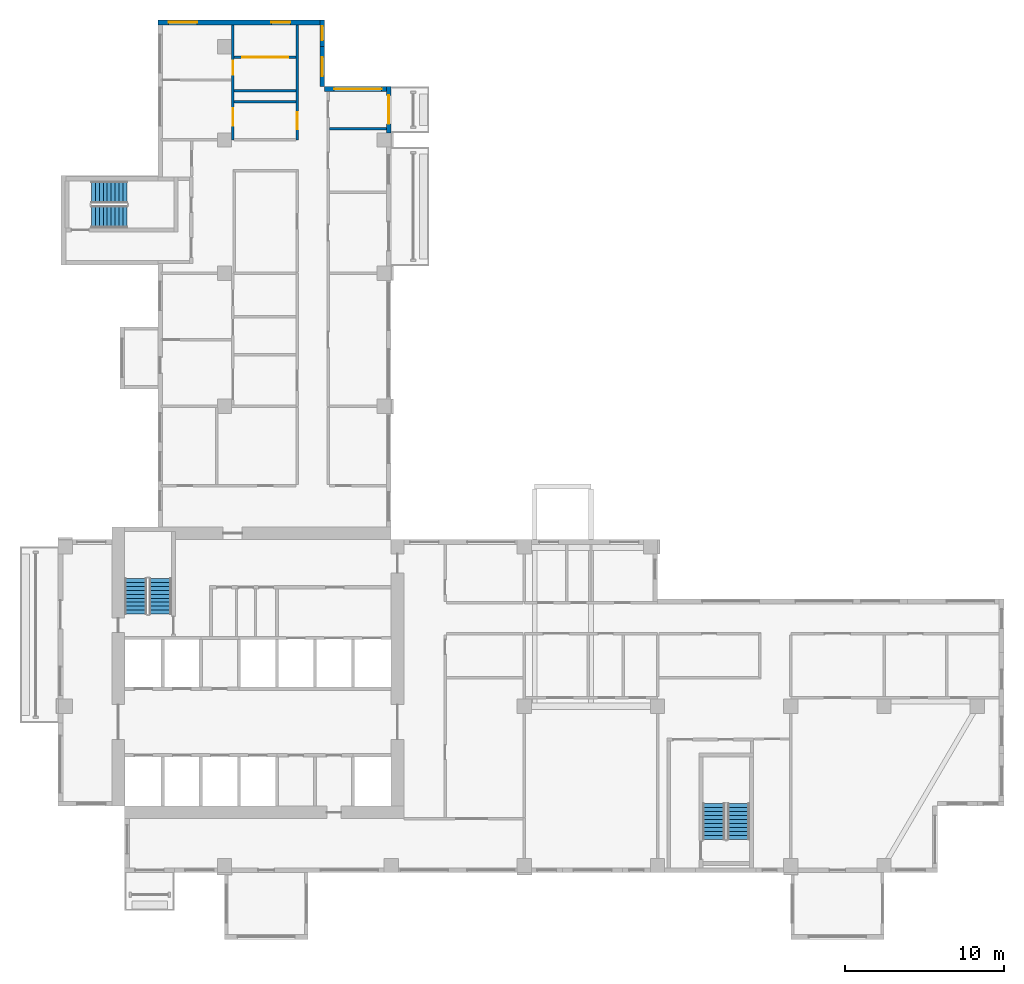
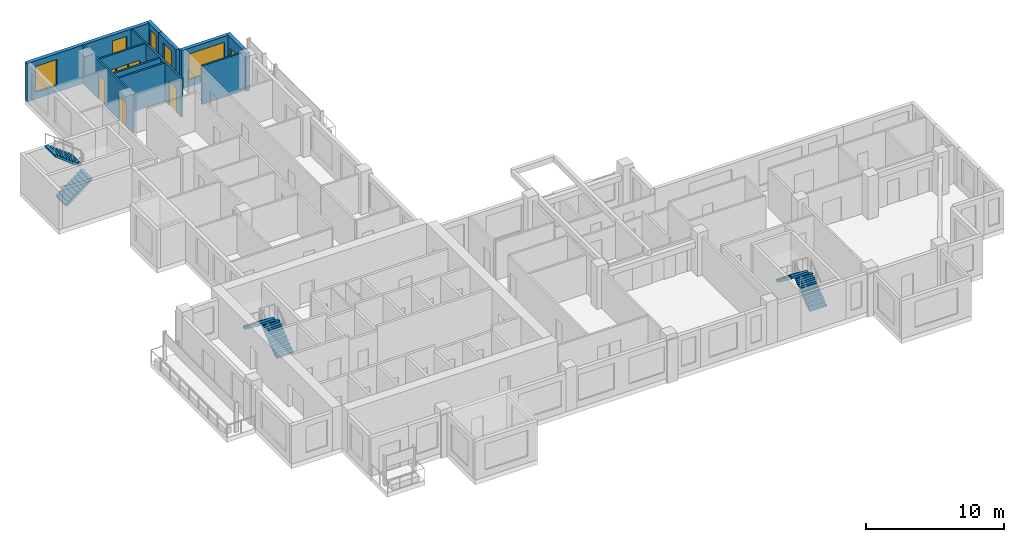
# One storey, part 8 of 12: 11 walls, 7 doors, 6 stair flights, 5 windows, 12 openings, 3 elements without a shape of their own.
"""IFC4 building model written with IfcOpenShell, lengths in metres."""

from ifc_helpers import new_model, si_unit, direction, frame, frame_2d, origin, place, context, subcontext, project, spatial, polyline, rectangle, outline, extrude, source, transform, mapped, material, layer, layer_set, type_object, element, fill, aggregate, save


model = new_model("IFC4")

# Units and contexts
model_context = context("Model", 3, precision=1e-05, world=origin(), true_north=direction((0.0, 1.0)))
body_context = subcontext(model_context, "Body", "Model", "MODEL_VIEW")
ifc_project = project(units=[si_unit("LENGTHUNIT", "METRE"), si_unit("AREAUNIT", "SQUARE_METRE"), si_unit("VOLUMEUNIT", "CUBIC_METRE"), si_unit("PLANEANGLEUNIT", "RADIAN"), si_unit("MASSUNIT", "GRAM", prefix="KILO")], contexts=[model_context])

# Site, building, storey
site_placement = place(None, origin())
site = spatial("IfcSite", under=ifc_project, at=site_placement, CompositionType="ELEMENT")
building_placement = place(site_placement, origin())
building = spatial("IfcBuilding", under=site, at=building_placement, Name="Aurelian Terraces", CompositionType="ELEMENT")
storey_placement = place(building_placement, frame((0.0, 0.0, 200.6)))
storey = spatial("IfcBuildingStorey", under=building, at=storey_placement, Name="L44", CompositionType="ELEMENT", Elevation=200.6)

# Wall, opening, door
ifc_material_1 = material(Name="Terracotta rainscreen cladding", Category="masonry")
ifc_layer_1 = layer(ifc_material_1, 0.3)
ifc_layer_set_1 = layer_set([ifc_layer_1], Name="EW-300")
wall_type_1 = type_object("IfcWallType", Name="EW-300", PredefinedType="STANDARD", material=ifc_layer_set_1)
shared_shape_1 = source(origin(), body_context, "Body", "SweptSolid", [
    extrude(rectangle(XDim=2.91, YDim=0.3, at=frame_2d((1.455, 0.0))), origin(), (0.0, 0.0, 1.0), 3.4),
])
wall_1_placement = place(storey_placement, frame((20.85, 46.65, 0.0), z_axis=(0.0, 0.0, 1.0), x_axis=(0.0, 1.0, 0.0)))
wall_1 = element("IfcWall", 1, at=wall_1_placement, inside=storey, type_object=wall_type_1, Name="External wall L44 F08.22", PredefinedType="STANDARD", context=body_context, shape_type="MappedRepresentation", body=[
    mapped(shared_shape_1, transform((0.0, 0.0, 0.0), scale=1.0)),
])
shared_shape_2 = source(origin(), body_context, "Body", "SweptSolid", [
    extrude(rectangle(XDim=1.8, YDim=2.4, at=frame_2d((0.9, 1.2))), frame((0.0, 0.16, 0.0), z_axis=(0.0, -1.0, 0.0), x_axis=(1.0, 0.0, 0.0)), (0.0, 0.0, 1.0), 0.32),
])
opening_1_placement = place(wall_1_placement, frame((0.555, 0.0, 0.0)))
opening_1 = element("IfcOpeningElement", 2, at=opening_1_placement, cuts=wall_1, Name="Opening 84403", PredefinedType="OPENING", context=body_context, shape_type="MappedRepresentation", body=[
    mapped(shared_shape_2, transform((0.0, 0.0, 0.0), scale=1.0)),
])
ifc_material_2 = material(Name="Clear glazing", Category="glass")
door_type_1 = type_object("IfcDoorType", Name="BD-1800x2400", OperationType="SLIDING_TO_LEFT", PredefinedType="DOOR", material=ifc_material_2)
shared_shape_3 = source(origin(), body_context, "Body", "SweptSolid", [
    extrude(rectangle(XDim=1.8, YDim=2.4, at=frame_2d((0.9, 1.2))), frame((0.0, 0.025, 0.0), z_axis=(0.0, -1.0, 0.0), x_axis=(1.0, 0.0, 0.0)), (0.0, 0.0, 1.0), 0.05),
])
door_1_placement = place(opening_1_placement, origin())
door_1 = element("IfcDoor", 3, at=door_1_placement, inside=storey, type_object=door_type_1, Name="Balcony door L44 F08.22", OperationType="SLIDING_TO_LEFT", OverallHeight=2.4, OverallWidth=1.8, PredefinedType="DOOR", context=body_context, shape_type="MappedRepresentation", body=[
    mapped(shared_shape_3, transform((0.0, 0.0, 0.0), scale=1.0)),
])
fill(opening_1, door_1)

# Wall, opening, window
shared_shape_4 = source(origin(), body_context, "Body", "SweptSolid", [
    extrude(rectangle(XDim=4.2, YDim=0.3, at=frame_2d((2.1, 0.0))), origin(), (0.0, 0.0, 1.0), 3.4),
])
wall_2_placement = place(storey_placement, frame((21.0, 49.41, 0.0), z_axis=(0.0, 0.0, 1.0), x_axis=(-1.0, 0.0, 0.0)))
wall_2 = element("IfcWall", 4, at=wall_2_placement, inside=storey, type_object=wall_type_1, Name="External wall L44 F09.23", PredefinedType="STANDARD", context=body_context, shape_type="MappedRepresentation", body=[
    mapped(shared_shape_4, transform((0.0, 0.0, 0.0), scale=1.0)),
])
shared_shape_5 = source(origin(), body_context, "Body", "SweptSolid", [
    extrude(rectangle(XDim=3.0, YDim=2.3, at=frame_2d((1.5, 1.15))), frame((0.0, 0.16, 0.0), z_axis=(0.0, -1.0, 0.0), x_axis=(1.0, 0.0, 0.0)), (0.0, 0.0, 1.0), 0.32),
])
opening_2_placement = place(wall_2_placement, frame((0.6, 0.0, 0.6)))
opening_2 = element("IfcOpeningElement", 5, at=opening_2_placement, cuts=wall_2, Name="Opening W3023", PredefinedType="OPENING", context=body_context, shape_type="MappedRepresentation", body=[
    mapped(shared_shape_5, transform((0.0, 0.0, 0.0), scale=1.0)),
])
window_type_1 = type_object("IfcWindowType", Name="W-3000x2300", PartitioningType="SINGLE_PANEL", PredefinedType="WINDOW", material=ifc_material_2)
shared_shape_6 = source(origin(), body_context, "Body", "SweptSolid", [
    extrude(rectangle(XDim=3.0, YDim=2.3, at=frame_2d((1.5, 1.15))), frame((0.0, 0.03, 0.0), z_axis=(0.0, -1.0, 0.0), x_axis=(1.0, 0.0, 0.0)), (0.0, 0.0, 1.0), 0.06),
])
window_1_placement = place(opening_2_placement, origin())
window_1 = element("IfcWindow", 6, at=window_1_placement, inside=storey, type_object=window_type_1, Name="Window L44 L44-F09-23-0", OverallHeight=2.3, OverallWidth=3.0, PartitioningType="SINGLE_PANEL", PredefinedType="WINDOW", context=body_context, shape_type="MappedRepresentation", body=[
    mapped(shared_shape_6, transform((0.0, 0.0, 0.0), scale=1.0)),
])
fill(opening_2, window_1)

shared_shape_7 = source(origin(), body_context, "Body", "SweptSolid", [
    extrude(rectangle(XDim=2.52, YDim=0.3, at=frame_2d((1.26, 0.0))), origin(), (0.0, 0.0, 1.0), 3.4),
])
wall_3_placement = place(storey_placement, frame((16.65, 49.56, 0.0), z_axis=(0.0, 0.0, 1.0), x_axis=(0.0, 1.0, 0.0)))
wall_3 = element("IfcWall", 7, at=wall_3_placement, inside=storey, type_object=wall_type_1, Name="External wall L44 F10.24", PredefinedType="STANDARD", context=body_context, shape_type="MappedRepresentation", body=[
    mapped(shared_shape_7, transform((0.0, 0.0, 0.0), scale=1.0)),
])
shared_shape_8 = source(origin(), body_context, "Body", "SweptSolid", [
    extrude(rectangle(XDim=1.2, YDim=2.3, at=frame_2d((0.6, 1.15))), frame((0.0, 0.16, 0.0), z_axis=(0.0, -1.0, 0.0), x_axis=(1.0, 0.0, 0.0)), (0.0, 0.0, 1.0), 0.32),
])
opening_3_placement = place(wall_3_placement, frame((0.66, 0.0, 0.6)))
opening_3 = element("IfcOpeningElement", 8, at=opening_3_placement, cuts=wall_3, Name="Opening W1223", PredefinedType="OPENING", context=body_context, shape_type="MappedRepresentation", body=[
    mapped(shared_shape_8, transform((0.0, 0.0, 0.0), scale=1.0)),
])
window_type_2 = type_object("IfcWindowType", Name="W-1200x2300", PartitioningType="SINGLE_PANEL", PredefinedType="WINDOW", material=ifc_material_2)
shared_shape_9 = source(origin(), body_context, "Body", "SweptSolid", [
    extrude(rectangle(XDim=1.2, YDim=2.3, at=frame_2d((0.6, 1.15))), frame((0.0, 0.03, 0.0), z_axis=(0.0, -1.0, 0.0), x_axis=(1.0, 0.0, 0.0)), (0.0, 0.0, 1.0), 0.06),
])
window_2_placement = place(opening_3_placement, origin())
window_2 = element("IfcWindow", 9, at=window_2_placement, inside=storey, type_object=window_type_2, Name="Window L44 L44-F10-24-0", OverallHeight=2.3, OverallWidth=1.2, PartitioningType="SINGLE_PANEL", PredefinedType="WINDOW", context=body_context, shape_type="MappedRepresentation", body=[
    mapped(shared_shape_9, transform((0.0, 0.0, 0.0), scale=1.0)),
])
fill(opening_3, window_2)

shared_shape_10 = source(origin(), body_context, "Body", "SweptSolid", [
    extrude(rectangle(XDim=1.68, YDim=0.3, at=frame_2d((0.84, 0.0))), origin(), (0.0, 0.0, 1.0), 3.4),
])
wall_4_placement = place(storey_placement, frame((16.65, 52.08, 0.0), z_axis=(0.0, 0.0, 1.0), x_axis=(0.0, 1.0, 0.0)))
wall_4 = element("IfcWall", 10, at=wall_4_placement, inside=storey, type_object=wall_type_1, Name="External wall L44 F10.25", PredefinedType="STANDARD", context=body_context, shape_type="MappedRepresentation", body=[
    mapped(shared_shape_10, transform((0.0, 0.0, 0.0), scale=1.0)),
])
shared_shape_11 = source(origin(), body_context, "Body", "SweptSolid", [
    extrude(rectangle(XDim=0.9, YDim=2.3, at=frame_2d((0.45, 1.15))), frame((0.0, 0.16, 0.0), z_axis=(0.0, -1.0, 0.0), x_axis=(1.0, 0.0, 0.0)), (0.0, 0.0, 1.0), 0.32),
])
opening_4_placement = place(wall_4_placement, frame((0.39, 0.0, 0.6)))
opening_4 = element("IfcOpeningElement", 11, at=opening_4_placement, cuts=wall_4, Name="Opening W0923", PredefinedType="OPENING", context=body_context, shape_type="MappedRepresentation", body=[
    mapped(shared_shape_11, transform((0.0, 0.0, 0.0), scale=1.0)),
])
window_type_3 = type_object("IfcWindowType", Name="W-900x2300", PartitioningType="SINGLE_PANEL", PredefinedType="WINDOW", material=ifc_material_2)
shared_shape_12 = source(origin(), body_context, "Body", "SweptSolid", [
    extrude(rectangle(XDim=0.9, YDim=2.3, at=frame_2d((0.45, 1.15))), frame((0.0, 0.03, 0.0), z_axis=(0.0, -1.0, 0.0), x_axis=(1.0, 0.0, 0.0)), (0.0, 0.0, 1.0), 0.06),
])
window_3_placement = place(opening_4_placement, origin())
window_3 = element("IfcWindow", 12, at=window_3_placement, inside=storey, type_object=window_type_3, Name="Window L44 L44-F10-25-P0", OverallHeight=2.3, OverallWidth=0.9, PartitioningType="SINGLE_PANEL", PredefinedType="WINDOW", context=body_context, shape_type="MappedRepresentation", body=[
    mapped(shared_shape_12, transform((0.0, 0.0, 0.0), scale=1.0)),
])
fill(opening_4, window_3)

# Wall, openings, windows
shared_shape_13 = source(origin(), body_context, "Body", "SweptSolid", [
    extrude(rectangle(XDim=10.5, YDim=0.3, at=frame_2d((5.25, 0.0))), origin(), (0.0, 0.0, 1.0), 3.4),
])
wall_5_placement = place(storey_placement, frame((16.8, 53.61, 0.0), z_axis=(0.0, 0.0, 1.0), x_axis=(-1.0, 0.0, 0.0)))
wall_5 = element("IfcWall", 13, at=wall_5_placement, inside=storey, type_object=wall_type_1, Name="External wall L44 F11.26", PredefinedType="STANDARD", context=body_context, shape_type="MappedRepresentation", body=[
    mapped(shared_shape_13, transform((0.0, 0.0, 0.0), scale=1.0)),
])
opening_5_placement = place(wall_5_placement, frame((2.15, 0.0, 0.6)))
opening_5 = element("IfcOpeningElement", 14, at=opening_5_placement, cuts=wall_5, Name="Opening W1223", PredefinedType="OPENING", context=body_context, shape_type="MappedRepresentation", body=[
    mapped(shared_shape_8, transform((0.0, 0.0, 0.0), scale=1.0)),
])
shared_shape_14 = source(origin(), body_context, "Body", "SweptSolid", [
    extrude(rectangle(XDim=1.8, YDim=2.3, at=frame_2d((0.9, 1.15))), frame((0.0, 0.16, 0.0), z_axis=(0.0, -1.0, 0.0), x_axis=(1.0, 0.0, 0.0)), (0.0, 0.0, 1.0), 0.32),
])
opening_6_placement = place(wall_5_placement, frame((8.025, 0.0, 0.6)))
opening_6 = element("IfcOpeningElement", 15, at=opening_6_placement, cuts=wall_5, Name="Opening W1823", PredefinedType="OPENING", context=body_context, shape_type="MappedRepresentation", body=[
    mapped(shared_shape_14, transform((0.0, 0.0, 0.0), scale=1.0)),
])
window_4_placement = place(opening_5_placement, origin())
window_4 = element("IfcWindow", 16, at=window_4_placement, inside=storey, type_object=window_type_2, Name="Window L44 L44-F11-26-0", OverallHeight=2.3, OverallWidth=1.2, PartitioningType="SINGLE_PANEL", PredefinedType="WINDOW", context=body_context, shape_type="MappedRepresentation", body=[
    mapped(shared_shape_9, transform((0.0, 0.0, 0.0), scale=1.0)),
])
fill(opening_5, window_4)
window_type_4 = type_object("IfcWindowType", Name="W-1800x2300", PartitioningType="SINGLE_PANEL", PredefinedType="WINDOW", material=ifc_material_2)
shared_shape_15 = source(origin(), body_context, "Body", "SweptSolid", [
    extrude(rectangle(XDim=1.8, YDim=2.3, at=frame_2d((0.9, 1.15))), frame((0.0, 0.03, 0.0), z_axis=(0.0, -1.0, 0.0), x_axis=(1.0, 0.0, 0.0)), (0.0, 0.0, 1.0), 0.06),
])
window_5_placement = place(opening_6_placement, origin())
window_5 = element("IfcWindow", 17, at=window_5_placement, inside=storey, type_object=window_type_4, Name="Window L44 L44-F11-26-2", OverallHeight=2.3, OverallWidth=1.8, PartitioningType="SINGLE_PANEL", PredefinedType="WINDOW", context=body_context, shape_type="MappedRepresentation", body=[
    mapped(shared_shape_15, transform((0.0, 0.0, 0.0), scale=1.0)),
])
fill(opening_6, window_5)

# Walls
ifc_material_3 = material(Name="Gypsum board on steel studs", Category="steel")
ifc_layer_2 = layer(ifc_material_3, 0.15)
ifc_layer_set_2 = layer_set([ifc_layer_2], Name="Partition 150")
wall_type_2 = type_object("IfcWallType", Name="Partition 150", PredefinedType="PARTITIONING", material=ifc_layer_set_2)
shared_shape_16 = source(origin(), body_context, "Body", "SweptSolid", [
    extrude(rectangle(XDim=3.9, YDim=0.15, at=frame_2d((1.95, 0.0))), origin(), (0.0, 0.0, 1.0), 3.4),
])
for number, where, z_axis, x_axis, name in (
    (18, (15.0, 48.6165, 0.0), (0.0, 0.0, 1.0), (-1.0, 0.0, 0.0), "Partition"),
    (19, (15.0, 49.3093, 0.0), (0.0, 0.0, 1.0), (-1.0, 0.0, 0.0), "Partition"),
):
    element("IfcWall", number, at=place(storey_placement, frame(where, z_axis=z_axis, x_axis=x_axis)), inside=storey, type_object=wall_type_2, Name=name, PredefinedType="PARTITIONING", context=body_context, shape_type="MappedRepresentation", body=[
        mapped(shared_shape_16, transform((0.0, 0.0, 0.0), scale=1.0)),
    ])

# Wall, openings, doors
wall_6_placement = place(storey_placement, frame((15.0, 51.4123, 0.0), z_axis=(0.0, 0.0, 1.0), x_axis=(-1.0, 0.0, 0.0)))
wall_6 = element("IfcWall", 20, at=wall_6_placement, inside=storey, type_object=wall_type_2, Name="Partition", PredefinedType="PARTITIONING", context=body_context, shape_type="MappedRepresentation", body=[
    mapped(shared_shape_16, transform((0.0, 0.0, 0.0), scale=1.0)),
])
shared_shape_17 = source(origin(), body_context, "Body", "SweptSolid", [
    extrude(rectangle(XDim=0.9, YDim=2.1, at=frame_2d((0.45, 1.05))), frame((0.0, 0.085, 0.0), z_axis=(0.0, -1.0, 0.0), x_axis=(1.0, 0.0, 0.0)), (0.0, 0.0, 1.0), 0.17),
])
opening_7_placement = place(wall_6_placement, frame((1.5, 0.0, 0.0)))
opening_7 = element("IfcOpeningElement", 21, at=opening_7_placement, cuts=wall_6, Name="Opening 744040", PredefinedType="OPENING", context=body_context, shape_type="MappedRepresentation", body=[
    mapped(shared_shape_17, transform((0.0, 0.0, 0.0), scale=1.0)),
])
opening_8_placement = place(wall_6_placement, frame((0.5, 0.0, 0.0)))
opening_8 = element("IfcOpeningElement", 22, at=opening_8_placement, cuts=wall_6, Name="Opening 744041", PredefinedType="OPENING", context=body_context, shape_type="MappedRepresentation", body=[
    mapped(shared_shape_17, transform((0.0, 0.0, 0.0), scale=1.0)),
])
opening_9_placement = place(wall_6_placement, frame((2.5, 0.0, 0.0)))
opening_9 = element("IfcOpeningElement", 23, at=opening_9_placement, cuts=wall_6, Name="Opening 744042", PredefinedType="OPENING", context=body_context, shape_type="MappedRepresentation", body=[
    mapped(shared_shape_17, transform((0.0, 0.0, 0.0), scale=1.0)),
])
ifc_material_4 = material(Name="Timber door leaf", Category="wood")
door_type_2 = type_object("IfcDoorType", Name="Room door 900x2100 left", OperationType="SINGLE_SWING_LEFT", PredefinedType="DOOR", material=ifc_material_4)
shared_shape_18 = source(origin(), body_context, "Body", "SweptSolid", [
    extrude(rectangle(XDim=0.9, YDim=2.1, at=frame_2d((0.45, 1.05))), frame((0.0, 0.025, 0.0), z_axis=(0.0, -1.0, 0.0), x_axis=(1.0, 0.0, 0.0)), (0.0, 0.0, 1.0), 0.05),
])
door_2_placement = place(opening_7_placement, origin())
door_2 = element("IfcDoor", 24, at=door_2_placement, inside=storey, type_object=door_type_2, Name="Door 744040", OperationType="SINGLE_SWING_LEFT", OverallHeight=2.1, OverallWidth=0.9, PredefinedType="DOOR", context=body_context, shape_type="MappedRepresentation", body=[
    mapped(shared_shape_18, transform((0.0, 0.0, 0.0), scale=1.0)),
])
fill(opening_7, door_2)
ifc_material_5 = material(Name="Steel door leaf", Category="steel")
door_type_3 = type_object("IfcDoorType", Name="Entrance fire door 900x2100 left", OperationType="SINGLE_SWING_LEFT", PredefinedType="DOOR", material=ifc_material_5)
door_3_placement = place(opening_8_placement, origin())
door_3 = element("IfcDoor", 25, at=door_3_placement, inside=storey, type_object=door_type_3, Name="Door 744041", OperationType="SINGLE_SWING_LEFT", OverallHeight=2.1, OverallWidth=0.9, PredefinedType="DOOR", context=body_context, shape_type="MappedRepresentation", body=[
    mapped(shared_shape_18, transform((0.0, 0.0, 0.0), scale=1.0)),
])
fill(opening_8, door_3)
door_4_placement = place(opening_9_placement, origin())
door_4 = element("IfcDoor", 26, at=door_4_placement, inside=storey, type_object=door_type_3, Name="Door 744042", OperationType="SINGLE_SWING_LEFT", OverallHeight=2.1, OverallWidth=0.9, PredefinedType="DOOR", context=body_context, shape_type="MappedRepresentation", body=[
    mapped(shared_shape_18, transform((0.0, 0.0, 0.0), scale=1.0)),
])
fill(opening_9, door_4)

# Wall
shared_shape_19 = source(origin(), body_context, "Body", "SweptSolid", [
    extrude(rectangle(XDim=3.6, YDim=0.15, at=frame_2d((1.8, 0.0))), origin(), (0.0, 0.0, 1.0), 3.4),
])
wall_7_placement = place(storey_placement, frame((17.1, 46.9126, 0.0), z_axis=(0.0, 0.0, 1.0), x_axis=(1.0, 0.0, 0.0)))
element("IfcWall", 27, at=wall_7_placement, inside=storey, type_object=wall_type_2, Name="Partition", PredefinedType="PARTITIONING", context=body_context, shape_type="MappedRepresentation", body=[
    mapped(shared_shape_19, transform((0.0, 0.0, 0.0), scale=1.0)),
])

# Wall, openings, doors
shared_shape_20 = source(origin(), body_context, "Body", "SweptSolid", [
    extrude(rectangle(XDim=7.26, YDim=0.15, at=frame_2d((3.63, 0.0))), origin(), (0.0, 0.0, 1.0), 3.4),
])
wall_8_placement = place(storey_placement, frame((11.025, 46.2, 0.0), z_axis=(0.0, 0.0, 1.0), x_axis=(0.0, 1.0, 0.0)))
wall_8 = element("IfcWall", 28, at=wall_8_placement, inside=storey, type_object=wall_type_2, Name="Partition", PredefinedType="PARTITIONING", context=body_context, shape_type="MappedRepresentation", body=[
    mapped(shared_shape_20, transform((0.0, 0.0, 0.0), scale=1.0)),
])
shared_shape_21 = source(origin(), body_context, "Body", "SweptSolid", [
    extrude(rectangle(XDim=1.1, YDim=2.1, at=frame_2d((0.55, 1.05))), frame((0.0, 0.085, 0.0), z_axis=(0.0, -1.0, 0.0), x_axis=(1.0, 0.0, 0.0)), (0.0, 0.0, 1.0), 0.17),
])
opening_10_placement = place(wall_8_placement, frame((0.8957, 0.0, 0.0)))
opening_10 = element("IfcOpeningElement", 29, at=opening_10_placement, cuts=wall_8, Name="Opening 744031", PredefinedType="OPENING", context=body_context, shape_type="MappedRepresentation", body=[
    mapped(shared_shape_21, transform((0.0, 0.0, 0.0), scale=1.0)),
])
opening_11_placement = place(wall_8_placement, frame((4.0961, 0.0, 0.0)))
opening_11 = element("IfcOpeningElement", 30, at=opening_11_placement, cuts=wall_8, Name="Opening 744032", PredefinedType="OPENING", context=body_context, shape_type="MappedRepresentation", body=[
    mapped(shared_shape_17, transform((0.0, 0.0, 0.0), scale=1.0)),
])
door_5_placement = place(opening_11_placement, origin())
door_5 = element("IfcDoor", 31, at=door_5_placement, inside=storey, type_object=door_type_2, Name="Door 744032", OperationType="SINGLE_SWING_LEFT", OverallHeight=2.1, OverallWidth=0.9, PredefinedType="DOOR", context=body_context, shape_type="MappedRepresentation", body=[
    mapped(shared_shape_18, transform((0.0, 0.0, 0.0), scale=1.0)),
])
fill(opening_11, door_5)
door_type_4 = type_object("IfcDoorType", Name="Room door 1100x2100 left", OperationType="SINGLE_SWING_LEFT", PredefinedType="DOOR", material=ifc_material_4)
shared_shape_22 = source(origin(), body_context, "Body", "SweptSolid", [
    extrude(rectangle(XDim=1.1, YDim=2.1, at=frame_2d((0.55, 1.05))), frame((0.0, 0.025, 0.0), z_axis=(0.0, -1.0, 0.0), x_axis=(1.0, 0.0, 0.0)), (0.0, 0.0, 1.0), 0.05),
])
door_6_placement = place(opening_10_placement, origin())
door_6 = element("IfcDoor", 32, at=door_6_placement, inside=storey, type_object=door_type_4, Name="Door 744031", OperationType="SINGLE_SWING_LEFT", OverallHeight=2.1, OverallWidth=1.1, PredefinedType="DOOR", context=body_context, shape_type="MappedRepresentation", body=[
    mapped(shared_shape_22, transform((0.0, 0.0, 0.0), scale=1.0)),
])
fill(opening_10, door_6)

# Wall, opening, door
ifc_layer_3 = layer(ifc_material_3, 0.15)
ifc_layer_set_3 = layer_set([ifc_layer_3], Name="Fire partition 150")
wall_type_3 = type_object("IfcWallType", Name="Fire partition 150", PredefinedType="PARTITIONING", material=ifc_layer_set_3)
wall_9_placement = place(storey_placement, frame((15.075, 46.2, 0.0), z_axis=(0.0, 0.0, 1.0), x_axis=(0.0, 1.0, 0.0)))
wall_9 = element("IfcWall", 33, at=wall_9_placement, inside=storey, type_object=wall_type_3, Name="Corridor wall", PredefinedType="PARTITIONING", context=body_context, shape_type="MappedRepresentation", body=[
    mapped(shared_shape_20, transform((0.0, 0.0, 0.0), scale=1.0)),
])
opening_12_placement = place(wall_9_placement, frame((0.6582, 0.0, 0.0)))
opening_12 = element("IfcOpeningElement", 34, at=opening_12_placement, cuts=wall_9, Name="Opening 744030", PredefinedType="OPENING", context=body_context, shape_type="MappedRepresentation", body=[
    mapped(shared_shape_21, transform((0.0, 0.0, 0.0), scale=1.0)),
])
door_type_5 = type_object("IfcDoorType", Name="Entrance fire door 1100x2100 right", OperationType="SINGLE_SWING_RIGHT", PredefinedType="DOOR", material=ifc_material_5)
door_7_placement = place(opening_12_placement, origin())
door_7 = element("IfcDoor", 35, at=door_7_placement, inside=storey, type_object=door_type_5, Name="Door 744030", OperationType="SINGLE_SWING_RIGHT", OverallHeight=2.1, OverallWidth=1.1, PredefinedType="DOOR", context=body_context, shape_type="MappedRepresentation", body=[
    mapped(shared_shape_22, transform((0.0, 0.0, 0.0), scale=1.0)),
])
fill(opening_12, door_7)

# Stair, stair flights
ifc_material_6 = material(Name="Concrete fc' 40 MPa", Category="concrete")
stair_type = type_object("IfcStairType", Name="Stair 1400", PredefinedType="HALF_TURN_STAIR", material=ifc_material_6)
stair_1_placement = place(storey_placement, origin())
stair_1 = element("IfcStair", 36, at=stair_1_placement, inside=storey, type_object=stair_type, Name="L44 S1", PredefinedType="HALF_TURN_STAIR")
stair_flight_type = type_object("IfcStairFlightType", Name="Stair flight 1400", PredefinedType="STRAIGHT", material=ifc_material_6)
shared_shape_23 = source(origin(), body_context, "Body", "SweptSolid", [
    extrude(outline(polyline([(0.0, 0.0), (0.0, 0.19), (0.25, 0.19), (0.25, 0.38), (0.5, 0.38), (0.5, 0.57), (0.75, 0.57), (0.75, 0.76), (1.0, 0.76), (1.0, 0.95), (1.25, 0.95), (1.25, 1.14), (1.5, 1.14), (1.5, 1.33), (1.75, 1.33), (1.75, 1.52), (2.0, 1.52), (2.0, 1.71), (2.25, 1.71), (2.25, 1.9), (2.25, 1.5216), (0.2479, 0.0), (0.0, 0.0)])), frame((0.0, 0.7, 0.0), z_axis=(0.0, -1.0, 0.0), x_axis=(1.0, 0.0, 0.0)), (0.0, 0.0, 1.0), 1.4),
])
stair_flight_1_placement = place(storey_placement, frame((6.45, 16.3, 2e-08), z_axis=(0.0, 0.0, 1.0), x_axis=(0.0, 1.0, 0.0)))
stair_flight_1 = element("IfcStairFlight", 37, at=stair_flight_1_placement, type_object=stair_flight_type, Name="S1 flight 1", NumberOfRisers=10, NumberOfTreads=9, PredefinedType="STRAIGHT", RiserHeight=0.19, TreadLength=0.25, context=body_context, shape_type="MappedRepresentation", body=[
    mapped(shared_shape_23, transform((0.0, 0.0, 0.0), scale=1.0)),
])
stair_flight_2_placement = place(storey_placement, frame((4.9, 18.55, 1.9000000200000058), z_axis=(0.0, 0.0, 1.0), x_axis=(0.0, -1.0, 0.0)))
stair_flight_2 = element("IfcStairFlight", 38, at=stair_flight_2_placement, type_object=stair_flight_type, Name="S1 flight 2", NumberOfRisers=10, NumberOfTreads=9, PredefinedType="STRAIGHT", RiserHeight=0.19, TreadLength=0.25, context=body_context, shape_type="MappedRepresentation", body=[
    mapped(shared_shape_23, transform((0.0, 0.0, 0.0), scale=1.0)),
])
aggregate(stair_1, [stair_flight_1, stair_flight_2])

stair_2_placement = place(storey_placement, origin())
stair_2 = element("IfcStair", 39, at=stair_2_placement, inside=storey, type_object=stair_type, Name="L44 S2", PredefinedType="HALF_TURN_STAIR")
stair_flight_3_placement = place(storey_placement, frame((42.9, 2.1, 2e-08), z_axis=(0.0, 0.0, 1.0), x_axis=(0.0, 1.0, 0.0)))
stair_flight_3 = element("IfcStairFlight", 40, at=stair_flight_3_placement, type_object=stair_flight_type, Name="S2 flight 1", NumberOfRisers=10, NumberOfTreads=9, PredefinedType="STRAIGHT", RiserHeight=0.19, TreadLength=0.25, context=body_context, shape_type="MappedRepresentation", body=[
    mapped(shared_shape_23, transform((0.0, 0.0, 0.0), scale=1.0)),
])
stair_flight_4_placement = place(storey_placement, frame((41.35, 4.35, 1.9000000200000058), z_axis=(0.0, 0.0, 1.0), x_axis=(0.0, -1.0, 0.0)))
stair_flight_4 = element("IfcStairFlight", 41, at=stair_flight_4_placement, type_object=stair_flight_type, Name="S2 flight 2", NumberOfRisers=10, NumberOfTreads=9, PredefinedType="STRAIGHT", RiserHeight=0.19, TreadLength=0.25, context=body_context, shape_type="MappedRepresentation", body=[
    mapped(shared_shape_23, transform((0.0, 0.0, 0.0), scale=1.0)),
])
aggregate(stair_2, [stair_flight_3, stair_flight_4])

stair_3_placement = place(storey_placement, origin())
stair_3 = element("IfcStair", 42, at=stair_3_placement, inside=storey, type_object=stair_type, Name="L44 S3", PredefinedType="HALF_TURN_STAIR")
stair_flight_5_placement = place(storey_placement, frame((2.1, 41.35, 2e-08), z_axis=(0.0, 0.0, 1.0), x_axis=(1.0, 0.0, 0.0)))
stair_flight_5 = element("IfcStairFlight", 43, at=stair_flight_5_placement, type_object=stair_flight_type, Name="S3 flight 1", NumberOfRisers=10, NumberOfTreads=9, PredefinedType="STRAIGHT", RiserHeight=0.19, TreadLength=0.25, context=body_context, shape_type="MappedRepresentation", body=[
    mapped(shared_shape_23, transform((0.0, 0.0, 0.0), scale=1.0)),
])
stair_flight_6_placement = place(storey_placement, frame((4.35, 42.9, 1.9000000200000058), z_axis=(0.0, 0.0, 1.0), x_axis=(-1.0, 0.0, 0.0)))
stair_flight_6 = element("IfcStairFlight", 44, at=stair_flight_6_placement, type_object=stair_flight_type, Name="S3 flight 2", NumberOfRisers=10, NumberOfTreads=9, PredefinedType="STRAIGHT", RiserHeight=0.19, TreadLength=0.25, context=body_context, shape_type="MappedRepresentation", body=[
    mapped(shared_shape_23, transform((0.0, 0.0, 0.0), scale=1.0)),
])
aggregate(stair_3, [stair_flight_5, stair_flight_6])

save(model, "model.ifc")
